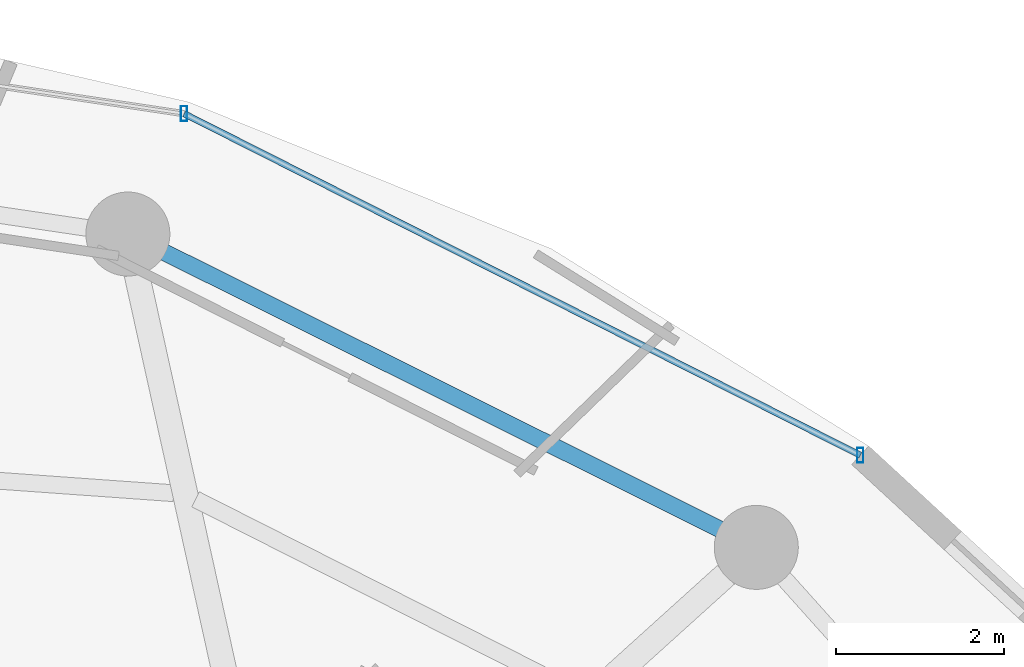
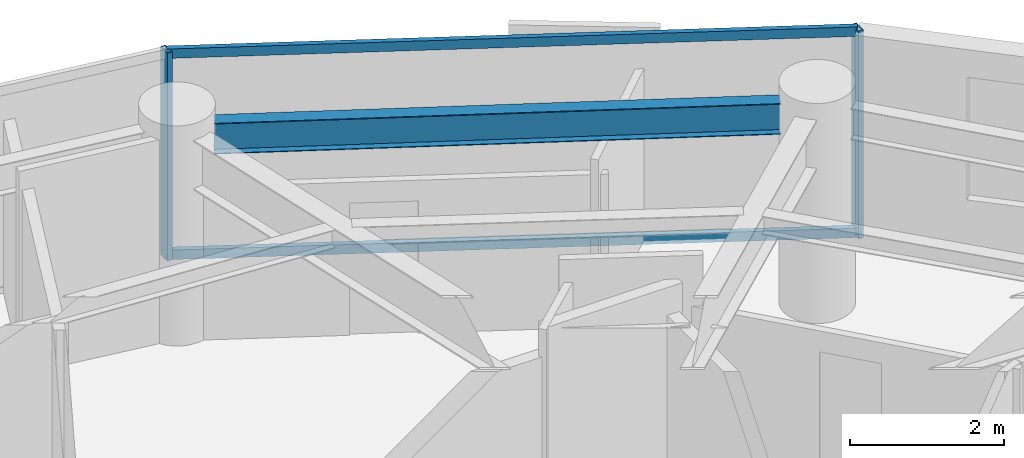
# One storey, part 19 of 29: 4 members, 1 beam, 1 element without a shape of its own.
"""IFC4 building model written with IfcOpenShell, lengths in metres."""

import ifcopenshell
import ifcopenshell.guid

model = None  # the IFC model being written
_history = None  # IfcOwnerHistory: only IFC2X3 demands one
_inside = {}  # id of a spatial element -> (the spatial element, [elements in it])
_under = {}  # id of a project, library or spatial element -> (it, [spatial elements below it])
_declared = {}  # id of a project -> (the project, [libraries it declares])
_typed = {}  # id of a type object -> (the type object, [elements of that type])
_made_of = {}  # id of a material, layer set ... -> (it, [elements and type objects made of it])


def new_model(schema):
    """Start an empty IFC model of exactly this schema.

    Asked for "IFC4X3", IfcOpenShell would pick the latest addendum, in which some entities
    have other attributes; the version numbers below select the first issue.
    IFC2X3 requires an IfcOwnerHistory on every rooted entity: one is made here for all.
    """
    global model, _history
    if schema == "IFC4X3":
        model = ifcopenshell.file(schema_version=(4, 3, 0, 0))
    else:
        model = ifcopenshell.file(schema=schema)
    _inside.clear()
    _under.clear()
    _declared.clear()
    _typed.clear()
    _made_of.clear()
    _history = None
    if model.schema == "IFC2X3":
        org = make("IfcOrganization", Name="unknown")
        user = make(
            "IfcPersonAndOrganization",
            ThePerson=make("IfcPerson", FamilyName="unknown"),
            TheOrganization=org,
        )
        app = make(
            "IfcApplication",
            ApplicationDeveloper=org,
            Version="unknown",
            ApplicationFullName="unknown",
            ApplicationIdentifier="unknown",
        )
        _history = make(
            "IfcOwnerHistory",
            OwningUser=user,
            OwningApplication=app,
            ChangeAction="ADDED",
            CreationDate=0,
        )
    return model


def make(cls, **values):
    """One entity of the class cls with the attributes given. An attribute that is None is left unset."""
    return model.create_entity(
        cls, **{name: value for name, value in values.items() if value is not None}
    )


def rooted(cls, **values):
    """An entity with a GlobalId (a new one), such as an element, a storey or a relation."""
    return make(cls, GlobalId=ifcopenshell.guid.new(), OwnerHistory=_history, **values)


def si_unit(unit_type, name, prefix=None):
    """IfcSIUnit, for example si_unit("LENGTHUNIT", "METRE", prefix="MILLI")."""
    return make("IfcSIUnit", UnitType=unit_type, Prefix=prefix, Name=name)


def assignment(units):
    """IfcUnitAssignment: the units of a project."""
    return None if units is None else make("IfcUnitAssignment", Units=units)


def point(xyz):
    """IfcCartesianPoint."""
    return None if xyz is None else make("IfcCartesianPoint", Coordinates=xyz)


def direction(xyz):
    """IfcDirection."""
    return None if xyz is None else make("IfcDirection", DirectionRatios=xyz)


def frame(location, z_axis=None, x_axis=None):
    """IfcAxis2Placement3D, a coordinate frame: its origin and axes. An axis left out is left unset."""
    return make(
        "IfcAxis2Placement3D",
        Location=point(location),
        Axis=direction(z_axis),
        RefDirection=direction(x_axis),
    )


def frame_2d(location, x_axis=None):
    """IfcAxis2Placement2D, a coordinate frame in the plane: its origin and x axis."""
    return make(
        "IfcAxis2Placement2D", Location=point(location), RefDirection=direction(x_axis)
    )


def origin():
    """The frame at (0, 0, 0) with its axes left unset."""
    return frame((0.0, 0.0, 0.0))


def origin_2d():
    """The frame at (0, 0) in the plane with its x axis left unset."""
    return frame_2d((0.0, 0.0))


def place(relative_to, where):
    """IfcLocalPlacement: puts the frame where relative to a parent placement (None: the world)."""
    return make(
        "IfcLocalPlacement", PlacementRelTo=relative_to, RelativePlacement=where
    )


def context(
    kind, dimensions, precision=None, world=None, true_north=None, identifier=None
):
    """IfcGeometricRepresentationContext, for example the 3D "Model" context."""
    return make(
        "IfcGeometricRepresentationContext",
        ContextIdentifier=identifier,
        ContextType=kind,
        CoordinateSpaceDimension=dimensions,
        Precision=precision,
        WorldCoordinateSystem=world,
        TrueNorth=true_north,
    )


def subcontext(parent, identifier, kind, view, scale=None):
    """IfcGeometricRepresentationSubContext, for example "Body" below "Model"."""
    return make(
        "IfcGeometricRepresentationSubContext",
        ContextIdentifier=identifier,
        ContextType=kind,
        ParentContext=parent,
        TargetScale=scale,
        TargetView=view,
    )


def project(units=None, contexts=None):
    """IfcProject with its units and contexts."""
    return rooted(
        "IfcProject",
        Name="project",
        RepresentationContexts=contexts,
        UnitsInContext=assignment(units),
    )


def spatial(cls, under=None, at=None, **own):
    """A site, building, storey or space (cls), placed at a placement, below another one or the project."""
    s = rooted(cls, ObjectPlacement=at, **own)
    if under is not None:
        _under.setdefault(under.id(), (under, []))[1].append(s)
    return s


def profile(cls, at=None, kind="AREA", **sizes):
    """A parametric profile (cls). Its sizes go by their IFC names, for example OverallWidth=200.0."""
    return make(cls, ProfileType=kind, Position=at, **sizes)


def hollow_rectangle(**sizes):
    """IfcRectangleHollowProfileDef."""
    return profile("IfcRectangleHollowProfileDef", **sizes)


def i_section(**sizes):
    """IfcIShapeProfileDef."""
    return profile("IfcIShapeProfileDef", **sizes)


def extrude(swept, where, along, depth):
    """IfcExtrudedAreaSolid: the profile swept, set in the frame where, extruded along a direction by depth."""
    return make(
        "IfcExtrudedAreaSolid",
        SweptArea=swept,
        Position=where,
        ExtrudedDirection=direction(along),
        Depth=depth,
    )


def shape(context_of_items, identifier, shape_type, items):
    """IfcShapeRepresentation: the items that make up one representation, for example the "Body"."""
    return make(
        "IfcShapeRepresentation",
        ContextOfItems=context_of_items,
        RepresentationIdentifier=identifier,
        RepresentationType=shape_type,
        Items=items,
    )


def material(Name=None, Category=None):
    """IfcMaterial."""
    return make("IfcMaterial", Name=Name, Category=Category)


def material_profile(
    of_material, cross_section, Name=None, Category=None, Priority=None
):
    """IfcMaterialProfile: a cross section and its material."""
    return make(
        "IfcMaterialProfile",
        Name=Name,
        Material=of_material,
        Profile=cross_section,
        Priority=Priority,
        Category=Category,
    )


def profile_set(profiles, Name=None, composite=None):
    """IfcMaterialProfileSet."""
    return make(
        "IfcMaterialProfileSet",
        Name=Name,
        MaterialProfiles=profiles,
        CompositeProfile=composite,
    )


def made_of(thing, what):
    """Note that an element or type object is made of a material, layer set ...; save() writes the relation."""
    if what is not None:
        _made_of.setdefault(what.id(), (what, []))[1].append(thing)
    return thing


def type_object(cls, material=None, **own):
    """A type object (cls), such as IfcWallType, which elements share."""
    return made_of(rooted(cls, **own), material)


def element(
    cls,
    number,
    at=None,
    inside=None,
    cuts=None,
    type_object=None,
    material=None,
    context=None,
    identifier="Body",
    shape_type=None,
    held_by="IfcProductDefinitionShape",
    body=None,
    shapes=None,
    **own,
):
    """One element of the class cls, such as IfcWall. Its Tag is "e" and its number.

    at: its placement. inside: the storey or other place that contains it. cuts: it is an
    opening in that element (IfcRelVoidsElement). A single representation is given by context,
    identifier, shape_type and body (its items); several are given by shapes. held_by: the class
    of the entity that holds the representations. save() writes the other relations.
    """
    e = rooted(cls, Tag="e%d" % number, ObjectPlacement=at, **own)
    if body is not None:
        shapes = [shape(context, identifier, shape_type, body)]
    if shapes is not None:
        e.Representation = make(held_by, Representations=shapes)
    if inside is not None:
        _inside.setdefault(inside.id(), (inside, []))[1].append(e)
    if cuts is not None:
        rooted(
            "IfcRelVoidsElement", RelatingBuildingElement=cuts, RelatedOpeningElement=e
        )
    if type_object is not None:
        _typed.setdefault(type_object.id(), (type_object, []))[1].append(e)
    return made_of(e, material)


def aggregate(whole, parts):
    """IfcRelAggregates: a whole, such as a stair, and the parts it consists of."""
    return rooted("IfcRelAggregates", RelatingObject=whole, RelatedObjects=parts)


def save(model, path):
    """Write the relations noted so far, then the file.

    IfcRelAggregates (storeys below a building ...), IfcRelContainedInSpatialStructure (elements
    in a storey), IfcRelDefinesByType, IfcRelAssociatesMaterial and IfcRelDeclares: one each for
    every whole, place, type object, material and project.
    """
    for whole, parts in _under.values():
        aggregate(whole, parts)
    for where, things in _inside.values():
        rooted(
            "IfcRelContainedInSpatialStructure",
            RelatedElements=things,
            RelatingStructure=where,
        )
    for kind, things in _typed.values():
        rooted("IfcRelDefinesByType", RelatedObjects=things, RelatingType=kind)
    for what, things in _made_of.values():
        rooted("IfcRelAssociatesMaterial", RelatedObjects=things, RelatingMaterial=what)
    for by, libraries in _declared.values():
        rooted("IfcRelDeclares", RelatingContext=by, RelatedDefinitions=libraries)
    model.write(path)


model = new_model("IFC4")

# Units and contexts
model_context = context("Model", 3, precision=1e-05, world=origin(), true_north=direction((0.0, 1.0)))
body_context = subcontext(model_context, "Body", "Model", "MODEL_VIEW")
ifc_project = project(units=[si_unit("LENGTHUNIT", "METRE"), si_unit("AREAUNIT", "SQUARE_METRE"), si_unit("VOLUMEUNIT", "CUBIC_METRE"), si_unit("PLANEANGLEUNIT", "RADIAN"), si_unit("MASSUNIT", "GRAM", prefix="KILO")], contexts=[model_context])

# Site, building, storey
site_placement = place(None, origin())
site = spatial("IfcSite", under=ifc_project, at=site_placement, CompositionType="ELEMENT")
building_placement = place(site_placement, origin())
building = spatial("IfcBuilding", under=site, at=building_placement, Name="Vorneva Point Tower", CompositionType="ELEMENT")
storey_placement = place(building_placement, frame((0.0, 0.0, 167.60009765625)))
storey = spatial("IfcBuildingStorey", under=building, at=storey_placement, Name="L45", CompositionType="ELEMENT", Elevation=167.60009765625)

# Beam
ifc_material_1 = material(Name="Steel S355", Category="steel")
ifc_material_profile_1 = material_profile(ifc_material_1, i_section(OverallWidth=0.199951171875, OverallDepth=0.491943359375, WebThickness=0.0087890625, FlangeThickness=0.011962890625, at=origin_2d()), Name="50B1")
ifc_profile_set_1 = profile_set([ifc_material_profile_1], Name="Steel S355")
beam_type = type_object("IfcBeamType", Name="BM-SPN-50B1", PredefinedType="SPANDREL", material=ifc_profile_set_1)
beam_placement = place(storey_placement, frame((53.86474609375, 38.378662109375, 2.993896484375), z_axis=(-0.894929061397, 0.446208443518, 0.0), x_axis=(-0.446208443518, -0.894929061397, 0.0)))
element("IfcBeam", 1, at=beam_placement, inside=storey, type_object=beam_type, Name="L45 Perimeter Spandrel Ring Beam 03", PredefinedType="SPANDREL", context=body_context, shape_type="SweptSolid", body=[
    extrude(i_section(OverallWidth=0.199951171875, OverallDepth=0.491943359375, WebThickness=0.0087890625, FlangeThickness=0.011962890625, at=origin_2d()), origin(), (0.0, 0.0, 1.0), 7.385986328125),
])

# Curtain wall, members
ifc_material_2 = material(Name="Pale anodised aluminium", Category="aluminium")
curtain_wall_type = type_object("IfcCurtainWallType", Name="CW-RES-SYS", PredefinedType="NOTDEFINED", material=ifc_material_2)
curtain_wall_placement = place(storey_placement, origin())
curtain_wall = element("IfcCurtainWall", 2, at=curtain_wall_placement, inside=storey, type_object=curtain_wall_type, Name="L45 Unitised Curtain Wall CW-L45-R02", PredefinedType="NOTDEFINED")
ifc_material_profile_2 = material_profile(ifc_material_2, hollow_rectangle(XDim=0.074951171875, YDim=0.179931640625, WallThickness=0.00390625, at=origin_2d()), Name="AL-MUL 180x75x4")
ifc_profile_set_2 = profile_set([ifc_material_profile_2], Name="Pale anodised aluminium")
member_type_1 = type_object("IfcMemberType", Name="CW-MUL-180", PredefinedType="MULLION", material=ifc_profile_set_2)
member_1_placement = place(storey_placement, frame((55.5361328125, 39.25830078125, -0.0400390625), z_axis=(0.0, 0.0, 1.0), x_axis=(1.0, 0.0, 0.0)))
member_1 = element("IfcMember", 3, at=member_1_placement, type_object=member_type_1, Name="CW-L45-R02 Mullion 01", PredefinedType="MULLION", context=body_context, shape_type="SweptSolid", body=[
    extrude(hollow_rectangle(XDim=0.074951171875, YDim=0.179931640625, WallThickness=0.00390625, at=origin_2d()), origin(), (0.0, 0.0, 1.0), 3.31005859375),
])
member_2_placement = place(storey_placement, frame((47.490478515625, 43.32275390625, -0.0400390625), z_axis=(0.0, 0.0, 1.0), x_axis=(1.0, 0.0, 0.0)))
member_2 = element("IfcMember", 4, at=member_2_placement, type_object=member_type_1, Name="CW-L45-R02 Mullion 02", PredefinedType="MULLION", context=body_context, shape_type="SweptSolid", body=[
    extrude(hollow_rectangle(XDim=0.074951171875, YDim=0.179931640625, WallThickness=0.00390625, at=origin_2d()), origin(), (0.0, 0.0, 1.0), 3.31005859375),
])
ifc_material_profile_3 = material_profile(ifc_material_2, hollow_rectangle(XDim=0.074951171875, YDim=0.14990234375, WallThickness=0.00390625, at=origin_2d()), Name="AL-TRN 150x75x4")
ifc_profile_set_3 = profile_set([ifc_material_profile_3], Name="Pale anodised aluminium")
member_type_2 = type_object("IfcMemberType", Name="CW-TRN-150", PredefinedType="USERDEFINED", material=ifc_profile_set_3)
member_3_placement = place(storey_placement, frame((55.5361328125, 39.25830078125, 0.02001953125), z_axis=(-0.892572392955, 0.450904117673, 0.0), x_axis=(-0.450904117673, -0.892572392955, 0.0)))
member_3 = element("IfcMember", 5, at=member_3_placement, type_object=member_type_2, Name="CW-L45-R02 Transom 01.1", ObjectType="TRANSOM", PredefinedType="USERDEFINED", context=body_context, shape_type="SweptSolid", body=[
    extrude(hollow_rectangle(XDim=0.074951171875, YDim=0.14990234375, WallThickness=0.00390625, at=origin_2d()), origin(), (0.0, 0.0, 1.0), 9.013916015625),
])
member_4_placement = place(storey_placement, frame((55.5361328125, 39.25830078125, 3.219970703125), z_axis=(-0.892572392955, 0.450904117673, 0.0), x_axis=(-0.450904117673, -0.892572392955, 0.0)))
member_4 = element("IfcMember", 6, at=member_4_placement, type_object=member_type_2, Name="CW-L45-R02 Transom 01.2", ObjectType="TRANSOM", PredefinedType="USERDEFINED", context=body_context, shape_type="SweptSolid", body=[
    extrude(hollow_rectangle(XDim=0.074951171875, YDim=0.14990234375, WallThickness=0.00390625, at=origin_2d()), origin(), (0.0, 0.0, 1.0), 9.013916015625),
])
aggregate(curtain_wall, [member_1, member_2, member_3, member_4])

save(model, "model.ifc")
